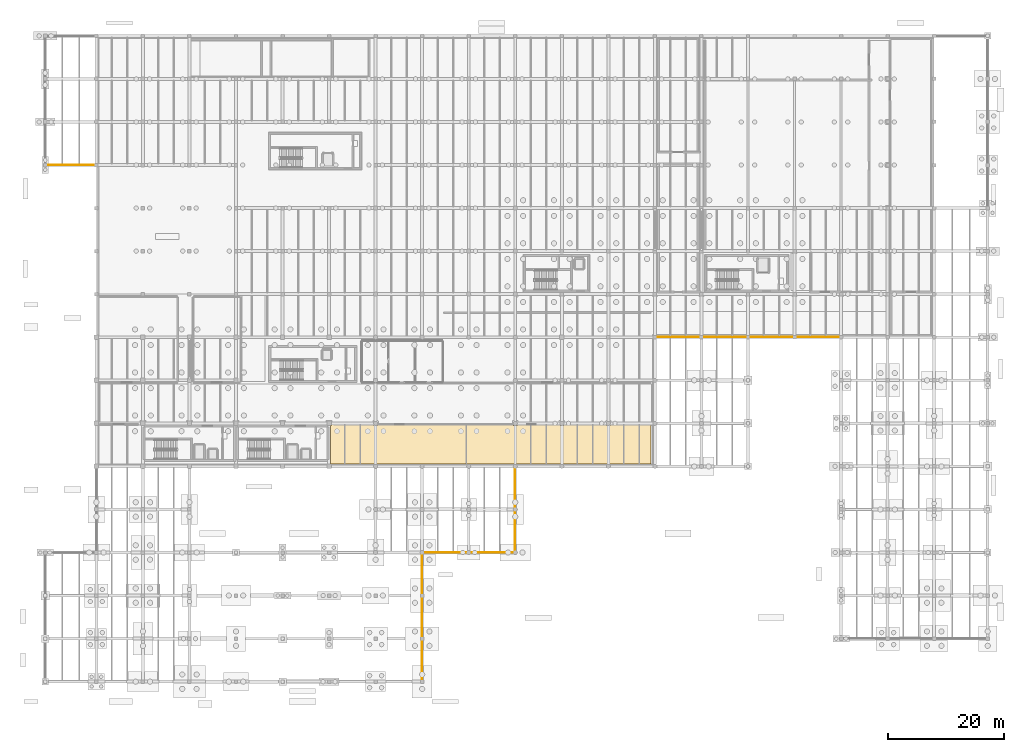
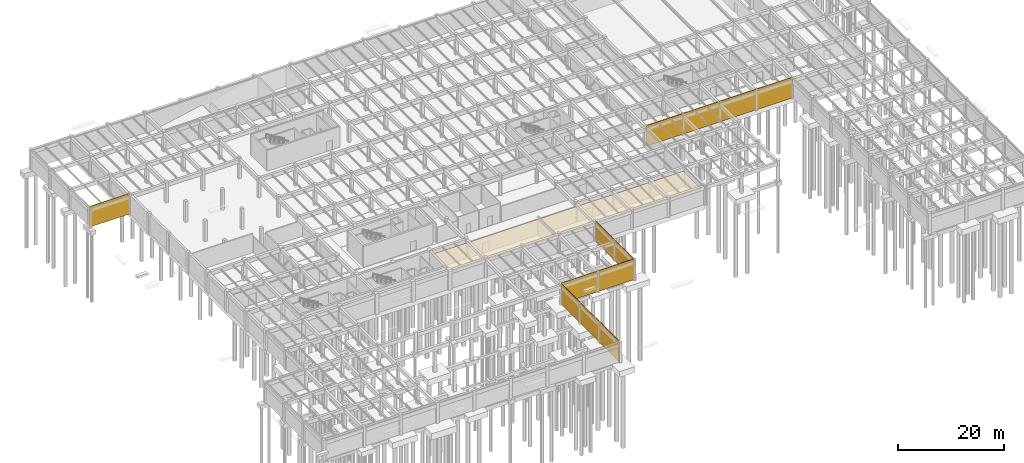
# One storey, part 32 of 40: 7 coverings.
"""IFC4 building model written with IfcOpenShell, lengths in metres."""

from ifc_helpers import new_model, si_unit, direction, frame, frame_2d, origin, place, context, subcontext, project, spatial, polyline, rectangle, outline, extrude, material, layer, layer_set, type_object, element, save


model = new_model("IFC4")

# Units and contexts
model_context = context("Model", 3, precision=1e-05, world=origin(), true_north=direction((0.0, 1.0)))
body_context = subcontext(model_context, "Body", "Model", "MODEL_VIEW")
ifc_project = project(units=[si_unit("LENGTHUNIT", "METRE"), si_unit("AREAUNIT", "SQUARE_METRE"), si_unit("VOLUMEUNIT", "CUBIC_METRE"), si_unit("PLANEANGLEUNIT", "RADIAN"), si_unit("MASSUNIT", "GRAM", prefix="KILO")], contexts=[model_context])

# Site, building, storey
site_placement = place(None, origin())
site = spatial("IfcSite", under=ifc_project, at=site_placement, CompositionType="ELEMENT")
building_placement = place(site_placement, origin())
building = spatial("IfcBuilding", under=site, at=building_placement, Name="Valkorina Park Police Headquarters", CompositionType="ELEMENT")
storey_placement = place(building_placement, frame((0.0, 0.0, -4.800048828125)))
storey = spatial("IfcBuildingStorey", under=building, at=storey_placement, Name="B01", CompositionType="ELEMENT", Elevation=-4.800048828125)

# Coverings
ifc_material_1 = material(Name="Acoustic mineral board")
ifc_layer_1 = layer(ifc_material_1, 0.02490234375)
ifc_layer_set_1 = layer_set([ifc_layer_1], Name="Acoustic mineral board")
covering_type_1 = type_object("IfcCoveringType", Name="COV-CEILING-ACOUST", PredefinedType="CEILING", material=ifc_layer_set_1)
covering_1_placement = place(storey_placement, frame((0.0, 0.0, 3.574951171875)))
element("IfcCovering", 1, at=covering_1_placement, inside=storey, type_object=covering_type_1, Name="Quartermaster Operational Store Acoustic Suspended Ceiling", PredefinedType="CEILING", context=body_context, shape_type="SweptSolid", body=[
    extrude(outline(polyline([(57.14990234375, 44.149169921875), (57.14990234375, 44.050048828125), (56.449951171875, 44.050048828125), (56.449951171875, 44.149169921875), (56.44775390625, 44.150634765625), (56.440673828125, 44.15380859375), (56.43310546875, 44.156494140625), (56.425537109375, 44.158447265625), (56.417724609375, 44.15966796875), (56.409912109375, 44.159912109375), (49.215087890625, 44.159912109375), (49.207275390625, 44.15966796875), (49.199462890625, 44.158447265625), (49.19189453125, 44.156494140625), (49.184326171875, 44.15380859375), (49.17724609375, 44.150634765625), (49.175048828125, 44.149169921875), (49.175048828125, 44.02490234375), (49.05078125, 44.02490234375), (49.04931640625, 44.022705078125), (49.046142578125, 44.015625), (49.04345703125, 44.00830078125), (49.04150390625, 44.00048828125), (49.040283203125, 43.992919921875), (49.0400390625, 43.985107421875), (49.0400390625, 37.52001953125), (49.040283203125, 37.51220703125), (49.04150390625, 37.50439453125), (49.04345703125, 37.496826171875), (49.046142578125, 37.489501953125), (49.04931640625, 37.482421875), (49.053466796875, 37.4755859375), (49.05810546875, 37.46923828125), (49.0634765625, 37.46337890625), (49.069091796875, 37.458251953125), (49.07568359375, 37.45361328125), (49.082275390625, 37.449462890625), (49.08935546875, 37.446044921875), (49.0966796875, 37.443359375), (49.1044921875, 37.44140625), (49.1123046875, 37.4404296875), (49.1201171875, 37.43994140625), (72.280029296875, 37.43994140625), (72.287841796875, 37.4404296875), (72.295654296875, 37.44140625), (72.30322265625, 37.443359375), (72.310546875, 37.446044921875), (72.317626953125, 37.449462890625), (72.324462890625, 37.45361328125), (72.330810546875, 37.458251953125), (72.336669921875, 37.46337890625), (72.341796875, 37.46923828125), (72.346435546875, 37.4755859375), (72.3505859375, 37.482421875), (72.35400390625, 37.489501953125), (72.356689453125, 37.496826171875), (72.3583984375, 37.50439453125), (72.359619140625, 37.51220703125), (72.360107421875, 37.52001953125), (72.360107421875, 44.080078125), (72.359619140625, 44.087890625), (72.3583984375, 44.095703125), (72.356689453125, 44.103271484375), (72.35400390625, 44.110595703125), (72.3505859375, 44.11767578125), (72.346435546875, 44.12451171875), (72.341796875, 44.130859375), (72.336669921875, 44.13671875), (72.330810546875, 44.141845703125), (72.324462890625, 44.146484375), (72.317626953125, 44.150634765625), (72.310546875, 44.15380859375), (72.30322265625, 44.156494140625), (72.295654296875, 44.158447265625), (72.287841796875, 44.15966796875), (72.280029296875, 44.159912109375), (57.18994140625, 44.159912109375), (57.18212890625, 44.15966796875), (57.17431640625, 44.158447265625), (57.166748046875, 44.156494140625), (57.159423828125, 44.15380859375), (57.15234375, 44.150634765625), (57.14990234375, 44.149169921875)])), origin(), (0.0, 0.0, 1.0), 0.025146484375),
])
covering_2_placement = place(storey_placement, frame((0.0, 0.0, 3.574951171875)))
element("IfcCovering", 2, at=covering_2_placement, inside=storey, type_object=covering_type_1, Name="Bulk Case Archive Vault Acoustic Suspended Ceiling", PredefinedType="CEILING", context=body_context, shape_type="SweptSolid", body=[
    extrude(outline(polyline([(81.14990234375, 44.149169921875), (81.14990234375, 44.050048828125), (80.449951171875, 44.050048828125), (80.449951171875, 44.149169921875), (80.44775390625, 44.150634765625), (80.440673828125, 44.15380859375), (80.43310546875, 44.156494140625), (80.425537109375, 44.158447265625), (80.417724609375, 44.15966796875), (80.409912109375, 44.159912109375), (72.52001953125, 44.159912109375), (72.51220703125, 44.15966796875), (72.50439453125, 44.158447265625), (72.496826171875, 44.156494140625), (72.489501953125, 44.15380859375), (72.482421875, 44.150634765625), (72.4755859375, 44.146484375), (72.46923828125, 44.141845703125), (72.46337890625, 44.13671875), (72.458251953125, 44.130859375), (72.45361328125, 44.12451171875), (72.449462890625, 44.11767578125), (72.446044921875, 44.110595703125), (72.443359375, 44.103271484375), (72.44140625, 44.095703125), (72.4404296875, 44.087890625), (72.43994140625, 44.080078125), (72.43994140625, 37.52001953125), (72.4404296875, 37.51220703125), (72.44140625, 37.50439453125), (72.443359375, 37.496826171875), (72.446044921875, 37.489501953125), (72.449462890625, 37.482421875), (72.45361328125, 37.4755859375), (72.458251953125, 37.46923828125), (72.46337890625, 37.46337890625), (72.46923828125, 37.458251953125), (72.4755859375, 37.45361328125), (72.482421875, 37.449462890625), (72.489501953125, 37.446044921875), (72.496826171875, 37.443359375), (72.50439453125, 37.44140625), (72.51220703125, 37.4404296875), (72.52001953125, 37.43994140625), (104.080078125, 37.43994140625), (104.087890625, 37.4404296875), (104.095703125, 37.44140625), (104.103271484375, 37.443359375), (104.110595703125, 37.446044921875), (104.11767578125, 37.449462890625), (104.12451171875, 37.45361328125), (104.130859375, 37.458251953125), (104.13671875, 37.46337890625), (104.141845703125, 37.46923828125), (104.146484375, 37.4755859375), (104.150634765625, 37.482421875), (104.15380859375, 37.489501953125), (104.156494140625, 37.496826171875), (104.158447265625, 37.50439453125), (104.15966796875, 37.51220703125), (104.159912109375, 37.52001953125), (104.159912109375, 44.080078125), (104.15966796875, 44.087890625), (104.158447265625, 44.095703125), (104.156494140625, 44.103271484375), (104.15380859375, 44.110595703125), (104.150634765625, 44.11767578125), (104.146484375, 44.12451171875), (104.141845703125, 44.130859375), (104.13671875, 44.13671875), (104.130859375, 44.141845703125), (104.12451171875, 44.146484375), (104.11767578125, 44.150634765625), (104.110595703125, 44.15380859375), (104.103271484375, 44.156494140625), (104.095703125, 44.158447265625), (104.087890625, 44.15966796875), (104.080078125, 44.159912109375), (97.18994140625, 44.159912109375), (97.18212890625, 44.15966796875), (97.17431640625, 44.158447265625), (97.166748046875, 44.156494140625), (97.159423828125, 44.15380859375), (97.15234375, 44.150634765625), (97.14990234375, 44.149169921875), (97.14990234375, 44.050048828125), (96.449951171875, 44.050048828125), (96.449951171875, 44.149169921875), (96.44775390625, 44.150634765625), (96.440673828125, 44.15380859375), (96.43310546875, 44.156494140625), (96.425537109375, 44.158447265625), (96.417724609375, 44.15966796875), (96.409912109375, 44.159912109375), (89.18994140625, 44.159912109375), (89.18212890625, 44.15966796875), (89.17431640625, 44.158447265625), (89.166748046875, 44.156494140625), (89.159423828125, 44.15380859375), (89.15234375, 44.150634765625), (89.14990234375, 44.149169921875), (89.14990234375, 44.050048828125), (88.449951171875, 44.050048828125), (88.449951171875, 44.149169921875), (88.44775390625, 44.150634765625), (88.440673828125, 44.15380859375), (88.43310546875, 44.156494140625), (88.425537109375, 44.158447265625), (88.417724609375, 44.15966796875), (88.409912109375, 44.159912109375), (81.18994140625, 44.159912109375), (81.18212890625, 44.15966796875), (81.17431640625, 44.158447265625), (81.166748046875, 44.156494140625), (81.159423828125, 44.15380859375), (81.15234375, 44.150634765625), (81.14990234375, 44.149169921875)])), origin(), (0.0, 0.0, 1.0), 0.025146484375),
])
ifc_material_2 = material(Name="Precast concrete C40/50", Category="concrete")
ifc_layer_2 = layer(ifc_material_2, 0.044921875)
ifc_layer_set_2 = layer_set([ifc_layer_2], Name="Precast concrete C40/50")
covering_type_2 = type_object("IfcCoveringType", Name="COV-CLAD-DOLOMITE", PredefinedType="CLADDING", material=ifc_layer_set_2)
covering_3_placement = place(storey_placement, frame((8.760009765625, 88.840087890625, 0.0), z_axis=(0.0, 0.0, 1.0), x_axis=(-1.0, 0.0, 0.0)))
element("IfcCovering", 3, at=covering_3_placement, inside=storey, type_object=covering_type_2, Name="Substructure Frost Plinth Cladding 03", PredefinedType="CLADDING", context=body_context, shape_type="SweptSolid", body=[
    extrude(rectangle(XDim=8.719970703125, YDim=0.080078125, at=frame_2d((4.35986328125, 0.0))), origin(), (0.0, 0.0, 1.0), 4.800048828125),
])
covering_4_placement = place(storey_placement, frame((136.760009765625, 59.239990234375, 0.0), z_axis=(0.0, 0.0, 1.0), x_axis=(-1.0, 0.0, 0.0)))
element("IfcCovering", 4, at=covering_4_placement, inside=storey, type_object=covering_type_2, Name="Substructure Frost Plinth Cladding 11", PredefinedType="CLADDING", context=body_context, shape_type="SweptSolid", body=[
    extrude(rectangle(XDim=31.919921875, YDim=0.080078125, at=frame_2d((15.9599609375, 0.0))), origin(), (0.0, 0.0, 1.0), 4.800048828125),
])
covering_5_placement = place(storey_placement, frame((80.760009765625, 36.9599609375, 0.0), z_axis=(0.0, 0.0, 1.0), x_axis=(0.0, -1.0, 0.0)))
element("IfcCovering", 5, at=covering_5_placement, inside=storey, type_object=covering_type_2, Name="Substructure Frost Plinth Cladding 12", PredefinedType="CLADDING", context=body_context, shape_type="SweptSolid", body=[
    extrude(rectangle(XDim=14.719970703125, YDim=0.080078125, at=frame_2d((7.35986328125, 0.0))), origin(), (0.0, 0.0, 1.0), 4.800048828125),
])
covering_6_placement = place(storey_placement, frame((80.760009765625, 22.239990234375, 0.0), z_axis=(0.0, 0.0, 1.0), x_axis=(-1.0, 0.0, 0.0)))
element("IfcCovering", 6, at=covering_6_placement, inside=storey, type_object=covering_type_2, Name="Substructure Frost Plinth Cladding 13", PredefinedType="CLADDING", context=body_context, shape_type="SweptSolid", body=[
    extrude(rectangle(XDim=15.919921875, YDim=0.080078125, at=frame_2d((7.9599609375, 0.0))), origin(), (0.0, 0.0, 1.0), 4.800048828125),
])
covering_7_placement = place(storey_placement, frame((64.760009765625, 22.159912109375, 0.0), z_axis=(0.0, 0.0, 1.0), x_axis=(0.0, -1.0, 0.0)))
element("IfcCovering", 7, at=covering_7_placement, inside=storey, type_object=covering_type_2, Name="Substructure Frost Plinth Cladding 14", PredefinedType="CLADDING", context=body_context, shape_type="SweptSolid", body=[
    extrude(rectangle(XDim=22.119873046875, YDim=0.080078125, at=frame_2d((11.06005859375, 0.0))), origin(), (0.0, 0.0, 1.0), 4.800048828125),
])

save(model, "model.ifc")
